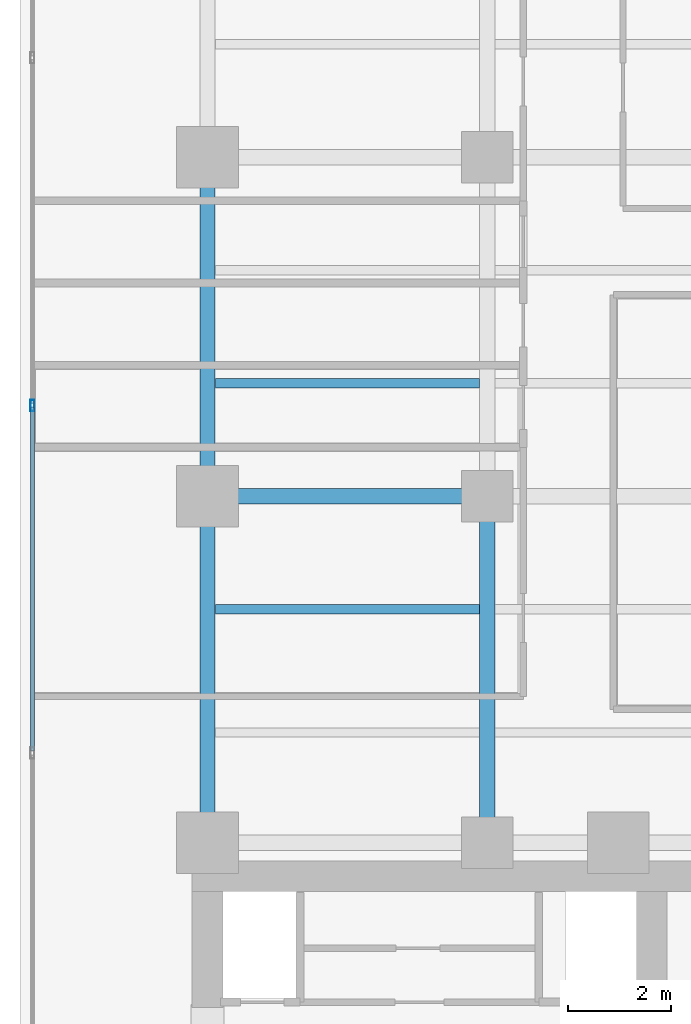
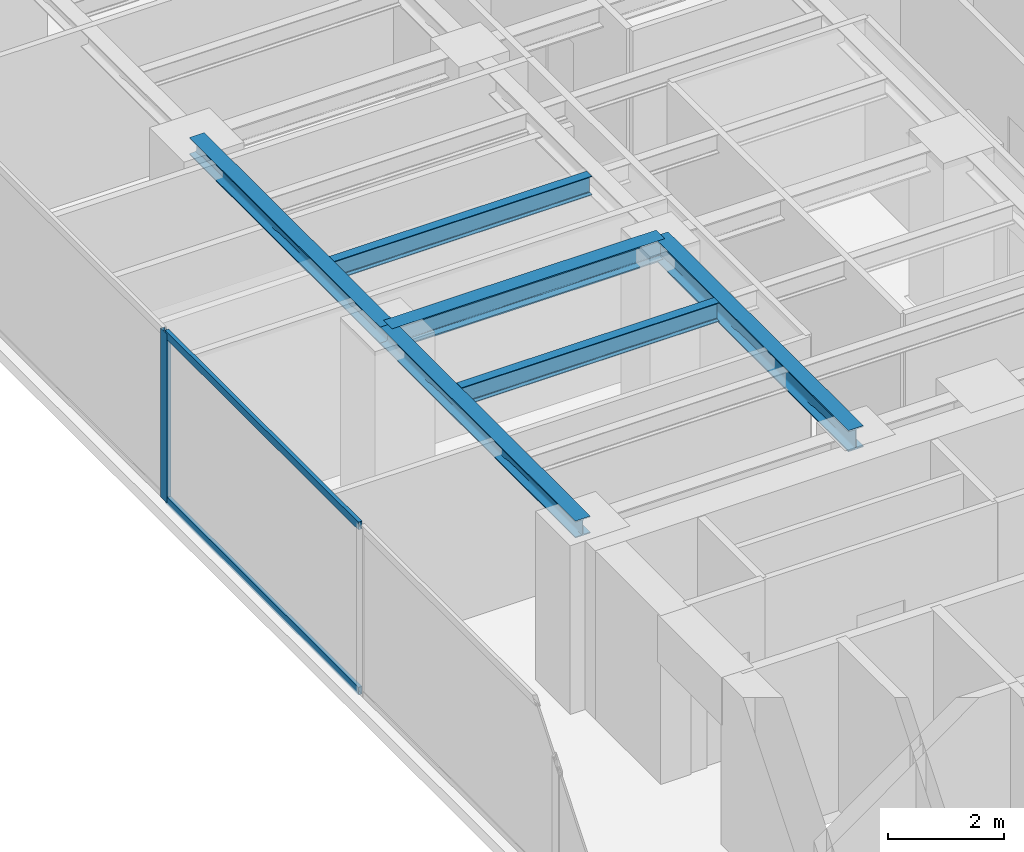
# One storey, part 7 of 26: 6 beams, 3 members, 1 element without a shape of its own.
"""IFC4 building model written with IfcOpenShell, lengths in metres."""

from ifc_helpers import new_model, si_unit, direction, frame, origin, origin_with_axes, origin_2d, place, context, subcontext, project, spatial, hollow_rectangle, i_section, extrude, source, transform, mapped, material, layer, layer_set, material_profile, profile_set, type_object, element, aggregate, save


model = new_model("IFC4")

# Units and contexts
model_context = context("Model", 3, precision=1e-05, world=origin(), true_north=direction((0.0, 1.0)))
body_context = subcontext(model_context, "Body", "Model", "MODEL_VIEW")
ifc_project = project(units=[si_unit("LENGTHUNIT", "METRE"), si_unit("AREAUNIT", "SQUARE_METRE"), si_unit("VOLUMEUNIT", "CUBIC_METRE"), si_unit("PLANEANGLEUNIT", "RADIAN"), si_unit("MASSUNIT", "GRAM", prefix="KILO")], contexts=[model_context])

# Site, building, storey
site_placement = place(None, origin())
site = spatial("IfcSite", under=ifc_project, at=site_placement, CompositionType="ELEMENT")
building_placement = place(site_placement, origin())
building = spatial("IfcBuilding", under=site, at=building_placement, Name="Kolvaren Waterfront Exchange", CompositionType="ELEMENT")
storey_placement = place(building_placement, frame((0.0, 0.0, 150.0)))
storey = spatial("IfcBuildingStorey", under=building, at=storey_placement, Name="L38", CompositionType="ELEMENT", Elevation=150.0)

# Beams
ifc_material_1 = material(Name="Steel S355", Category="steel")
ifc_material_profile_1 = material_profile(ifc_material_1, i_section(OverallWidth=0.300048828125, OverallDepth=0.360107421875, WebThickness=0.012451171875, FlangeThickness=0.0224609375, FilletRadius=0.027099609375, at=origin_2d()), Name="HEB360")
ifc_profile_set_1 = profile_set([ifc_material_profile_1], Name="Steel S355")
beam_type_1 = type_object("IfcBeamType", Name="STR-BM-HEB360", PredefinedType="SPANDREL", material=ifc_profile_set_1)
beam_1_placement = place(storey_placement, frame((7.449951171875, 24.449951171875, 3.3798828125), z_axis=(0.0, 1.0, 0.0), x_axis=(-1.0, 0.0, 0.0)))
element("IfcBeam", 1, at=beam_1_placement, inside=storey, type_object=beam_type_1, Name="L38 north-arm edge beam 1", PredefinedType="SPANDREL", context=body_context, shape_type="SweptSolid", body=[
    extrude(i_section(OverallWidth=0.300048828125, OverallDepth=0.360107421875, WebThickness=0.012451171875, FlangeThickness=0.0224609375, FilletRadius=0.027099609375, at=origin_2d()), origin(), (0.0, 0.0, 1.0), 6.75),
])
beam_2_placement = place(storey_placement, frame((7.449951171875, 31.199951171875, 3.3798828125), z_axis=(0.0, 1.0, 0.0), x_axis=(-1.0, 0.0, 0.0)))
element("IfcBeam", 2, at=beam_2_placement, inside=storey, type_object=beam_type_1, Name="L38 north-arm edge beam 2", PredefinedType="SPANDREL", context=body_context, shape_type="SweptSolid", body=[
    extrude(i_section(OverallWidth=0.300048828125, OverallDepth=0.360107421875, WebThickness=0.012451171875, FlangeThickness=0.0224609375, FilletRadius=0.027099609375, at=origin_2d()), origin(), (0.0, 0.0, 1.0), 6.60009765625),
])
ifc_material_profile_2 = material_profile(ifc_material_1, i_section(OverallWidth=0.300048828125, OverallDepth=0.449951171875, WebThickness=0.013916015625, FlangeThickness=0.02587890625, FilletRadius=0.027099609375, at=origin_2d()), Name="HEB450")
ifc_profile_set_2 = profile_set([ifc_material_profile_2], Name="Steel S355")
beam_type_2 = type_object("IfcBeamType", Name="STR-BM-HEB450", PredefinedType="BEAM", material=ifc_profile_set_2)
beam_3_placement = place(storey_placement, frame((7.449951171875, 31.199951171875, 3.3349609375), z_axis=(1.0, 0.0, 0.0), x_axis=(0.0, 1.0, 0.0)))
element("IfcBeam", 3, at=beam_3_placement, inside=storey, type_object=beam_type_2, Name="L38 north-arm girder 2A", PredefinedType="BEAM", context=body_context, shape_type="SweptSolid", body=[
    extrude(i_section(OverallWidth=0.300048828125, OverallDepth=0.449951171875, WebThickness=0.013916015625, FlangeThickness=0.02587890625, FilletRadius=0.027099609375, at=origin_2d()), origin(), (0.0, 0.0, 1.0), 5.449951171875),
])
beam_4_placement = place(storey_placement, frame((12.89990234375, 24.449951171875, 3.3349609375), z_axis=(0.0, 1.0, 0.0), x_axis=(-1.0, 0.0, 0.0)))
element("IfcBeam", 4, at=beam_4_placement, inside=storey, type_object=beam_type_2, Name="L38 north-arm edge beam 1", PredefinedType="BEAM", context=body_context, shape_type="SweptSolid", body=[
    extrude(i_section(OverallWidth=0.300048828125, OverallDepth=0.449951171875, WebThickness=0.013916015625, FlangeThickness=0.02587890625, FilletRadius=0.027099609375, at=origin_2d()), origin(), (0.0, 0.0, 1.0), 6.75),
])
ifc_material_profile_3 = material_profile(ifc_material_1, i_section(OverallWidth=0.179931640625, OverallDepth=0.39990234375, WebThickness=0.008544921875, FlangeThickness=0.013427734375, FilletRadius=0.02099609375, at=origin_2d()), Name="IPE400")
ifc_profile_set_3 = profile_set([ifc_material_profile_3], Name="Steel S355")
beam_type_3 = type_object("IfcBeamType", Name="STR-BM-IPE400", PredefinedType="JOIST", material=ifc_profile_set_3)
for number, where, z_axis, x_axis, name in (
    (5, (7.60205078125, 29.0, 3.360107421875), (1.0, 0.0, 0.0), (0.0, 1.0, 0.0), "L38 north-arm composite joist 2A"),
    (6, (7.60205078125, 33.39990234375, 3.360107421875), (1.0, 0.0, 0.0), (0.0, 1.0, 0.0), "L38 north-arm composite joist 3A"),
):
    element("IfcBeam", number, at=place(storey_placement, frame(where, z_axis=z_axis, x_axis=x_axis)), inside=storey, type_object=beam_type_3, Name=name, PredefinedType="JOIST", context=body_context, shape_type="SweptSolid", body=[
        extrude(i_section(OverallWidth=0.179931640625, OverallDepth=0.39990234375, WebThickness=0.008544921875, FlangeThickness=0.013427734375, FilletRadius=0.02099609375, at=origin_2d()), origin(), (0.0, 0.0, 1.0), 5.14599609375),
    ])

# Curtain wall, members
ifc_material_2 = material(Name="Anodised aluminium 6063-T6", Category="aluminium")
ifc_layer = layer(ifc_material_2, 0.219970703125, Name="Anodised aluminium 6063-T6")
ifc_layer_set = layer_set([ifc_layer], Name="Anodised aluminium 6063-T6")
curtain_wall_type = type_object("IfcCurtainWallType", Name="ARC-CW-SYS2", PredefinedType="USERDEFINED", material=ifc_layer_set)
curtain_wall_placement = place(storey_placement, origin())
curtain_wall = element("IfcCurtainWall", 7, at=curtain_wall_placement, inside=storey, type_object=curtain_wall_type, Name="L38 stick curtain wall CW2 (CW-L38-W)", ObjectType="STICK CURTAIN WALL", PredefinedType="USERDEFINED")
ifc_material_profile_4 = material_profile(ifc_material_2, hollow_rectangle(XDim=0.080078125, YDim=0.219970703125, WallThickness=0.0048828125, at=origin_2d()), Name="ALU-MUL-220x80x5")
ifc_profile_set_4 = profile_set([ifc_material_profile_4], Name="Anodised aluminium 6063-T6")
member_type_1 = type_object("IfcMemberType", Name="ARC-CWM-220", PredefinedType="MULLION", material=ifc_profile_set_4)
shared_shape_1 = source(origin_with_axes(), body_context, "Body", "SweptSolid", [
    extrude(hollow_rectangle(XDim=0.080078125, YDim=0.219970703125, WallThickness=0.0048828125, at=origin_2d()), origin(), (0.0, 0.0, 1.0), 3.56005859375),
])
member_1_placement = place(storey_placement, frame((4.0400390625, 32.966552734375, 0.0), z_axis=(0.0, 0.0, 1.0), x_axis=(-1.0, 0.0, 0.0)))
member_1 = element("IfcMember", 8, at=member_1_placement, type_object=member_type_1, Name="CW2 mullion 5", PredefinedType="MULLION", context=body_context, shape_type="MappedRepresentation", body=[
    mapped(shared_shape_1, transform((0.0, 0.0, 0.0), x_axis=(1.0, 0.0, 0.0), y_axis=(0.0, 1.0, 0.0), z_axis=(0.0, 0.0, 1.0), scale=1.0)),
])
ifc_material_profile_5 = material_profile(ifc_material_2, hollow_rectangle(XDim=0.074951171875, YDim=0.159912109375, WallThickness=0.00439453125, at=origin_2d()), Name="ALU-TRN-160x75x4.5")
ifc_profile_set_5 = profile_set([ifc_material_profile_5], Name="Anodised aluminium 6063-T6")
member_type_2 = type_object("IfcMemberType", Name="ARC-CWT-160", PredefinedType="USERDEFINED", material=ifc_profile_set_5)
shared_shape_2 = source(origin_with_axes(), body_context, "Body", "SweptSolid", [
    extrude(hollow_rectangle(XDim=0.074951171875, YDim=0.159912109375, WallThickness=0.00439453125, at=origin_2d()), origin(), (0.0, 0.0, 1.0), 6.686767578125),
])
member_2_placement = place(storey_placement, frame((4.0400390625, 26.239990234375, 0.03759765625), z_axis=(0.0, 1.0, 0.0), x_axis=(-1.0, 0.0, 0.0)))
member_2 = element("IfcMember", 9, at=member_2_placement, type_object=member_type_2, Name="CW2 transom 4.1", ObjectType="TRANSOM", PredefinedType="USERDEFINED", context=body_context, shape_type="MappedRepresentation", body=[
    mapped(shared_shape_2, transform((0.0, 0.0, 0.0), x_axis=(1.0, 0.0, 0.0), y_axis=(0.0, 1.0, 0.0), z_axis=(0.0, 0.0, 1.0), scale=1.0)),
])
member_3_placement = place(storey_placement, frame((4.0400390625, 26.239990234375, 3.5224609375), z_axis=(0.0, 1.0, 0.0), x_axis=(-1.0, 0.0, 0.0)))
member_3 = element("IfcMember", 10, at=member_3_placement, type_object=member_type_2, Name="CW2 transom 4.2", ObjectType="TRANSOM", PredefinedType="USERDEFINED", context=body_context, shape_type="MappedRepresentation", body=[
    mapped(shared_shape_2, transform((0.0, 0.0, 0.0), x_axis=(1.0, 0.0, 0.0), y_axis=(0.0, 1.0, 0.0), z_axis=(0.0, 0.0, 1.0), scale=1.0)),
])
aggregate(curtain_wall, [member_1, member_2, member_3])

save(model, "model.ifc")
